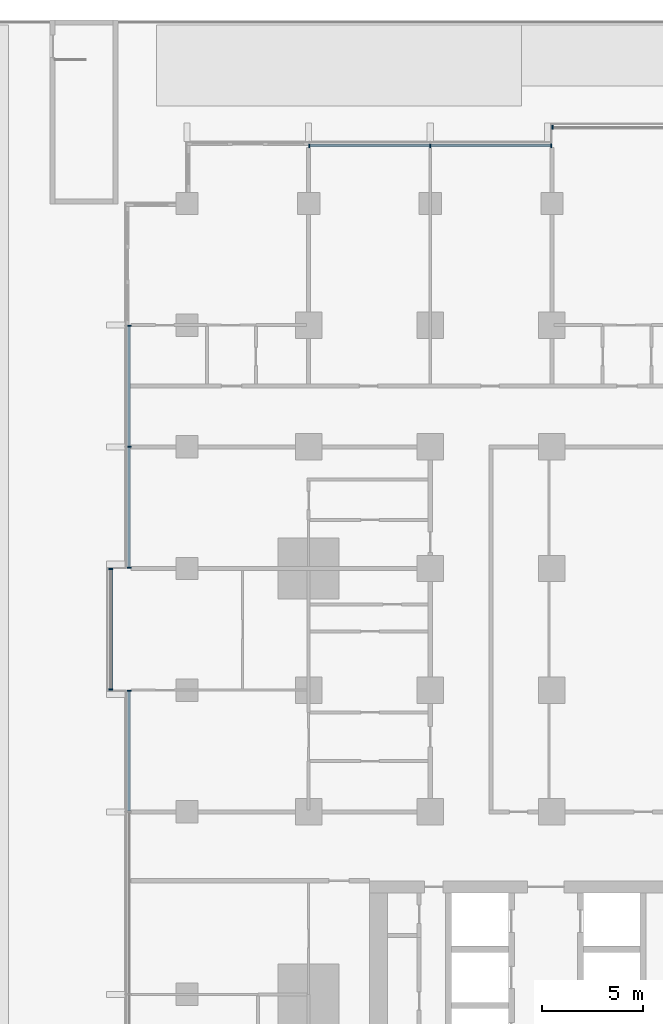
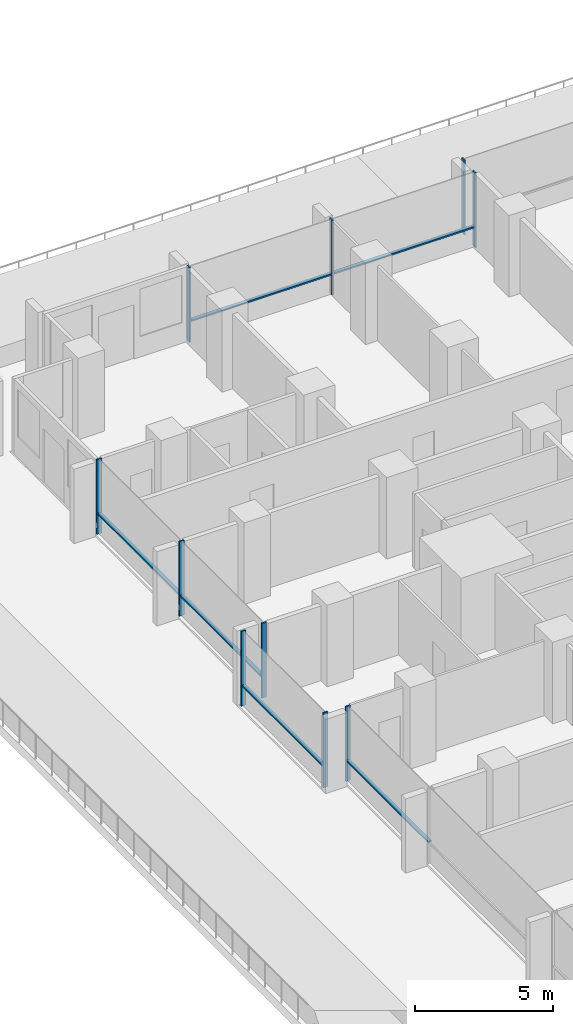
# One storey, part 4 of 25: 16 members, 5 elements without a shape of their own.
"""IFC4 building model written with IfcOpenShell, lengths in metres."""

from ifc_helpers import new_model, si_unit, direction, frame, origin, origin_2d, place, context, subcontext, project, spatial, rectangle, extrude, material, material_profile, profile_set, type_object, element, aggregate, save


model = new_model("IFC4")

# Units and contexts
model_context = context("Model", 3, precision=1e-05, world=origin(), true_north=direction((0.0, 1.0)))
body_context = subcontext(model_context, "Body", "Model", "MODEL_VIEW")
ifc_project = project(units=[si_unit("LENGTHUNIT", "METRE"), si_unit("AREAUNIT", "SQUARE_METRE"), si_unit("VOLUMEUNIT", "CUBIC_METRE"), si_unit("PLANEANGLEUNIT", "RADIAN"), si_unit("MASSUNIT", "GRAM", prefix="KILO")], contexts=[model_context])

# Site, building, storey
site_placement = place(None, origin())
site = spatial("IfcSite", under=ifc_project, at=site_placement, CompositionType="ELEMENT")
building_placement = place(site_placement, origin())
building = spatial("IfcBuilding", under=site, at=building_placement, Name="Finial Court Residences", CompositionType="ELEMENT")
storey_placement = place(building_placement, frame((0.0, 0.0, 32.5)))
storey = spatial("IfcBuildingStorey", under=building, at=storey_placement, Name="L06", CompositionType="ELEMENT", Elevation=32.5)

# Curtain wall, members
ifc_material = material(Name="Bronze anodised aluminium", Category="aluminium")
curtain_wall_type = type_object("IfcCurtainWallType", Name="Unitised curtain wall, lower and middle zones", PredefinedType="NOTDEFINED", material=ifc_material)
curtain_wall_1_placement = place(storey_placement, origin())
curtain_wall_1 = element("IfcCurtainWall", 1, at=curtain_wall_1_placement, inside=storey, type_object=curtain_wall_type, Name="E-L06-CW-N1", PredefinedType="NOTDEFINED")
ifc_material_profile_1 = material_profile(ifc_material, rectangle(XDim=0.199951171875, YDim=0.06494140625, at=origin_2d()), Name="CW1 mullion 65 x 200")
ifc_profile_set_1 = profile_set([ifc_material_profile_1], Name="Bronze anodised aluminium")
member_type_1 = type_object("IfcMemberType", Name="CW1 mullion 65 x 200", PredefinedType="MULLION", material=ifc_profile_set_1)
member_1_placement = place(storey_placement, frame((-16.467529296875, 28.35009765625, 0.0), z_axis=(0.0, 0.0, 1.0), x_axis=(0.0, 1.0, 0.0)))
member_1 = element("IfcMember", 2, at=member_1_placement, type_object=member_type_1, Name="CW1 mullion 1", PredefinedType="MULLION", context=body_context, shape_type="SweptSolid", body=[
    extrude(rectangle(XDim=0.199951171875, YDim=0.06494140625, at=origin_2d()), origin(), (0.0, 0.0, 1.0), 3.300048828125),
])
member_2_placement = place(storey_placement, frame((-10.5, 28.35009765625, 0.0), z_axis=(0.0, 0.0, 1.0), x_axis=(0.0, 1.0, 0.0)))
member_2 = element("IfcMember", 3, at=member_2_placement, type_object=member_type_1, Name="CW1 mullion 2", PredefinedType="MULLION", context=body_context, shape_type="SweptSolid", body=[
    extrude(rectangle(XDim=0.199951171875, YDim=0.06494140625, at=origin_2d()), origin(), (0.0, 0.0, 1.0), 3.300048828125),
])
member_3_placement = place(storey_placement, frame((-4.532470703125, 28.35009765625, 0.0), z_axis=(0.0, 0.0, 1.0), x_axis=(0.0, 1.0, 0.0)))
member_3 = element("IfcMember", 4, at=member_3_placement, type_object=member_type_1, Name="CW1 mullion 3", PredefinedType="MULLION", context=body_context, shape_type="SweptSolid", body=[
    extrude(rectangle(XDim=0.199951171875, YDim=0.06494140625, at=origin_2d()), origin(), (0.0, 0.0, 1.0), 3.300048828125),
])

# Curtain wall, member
curtain_wall_2_placement = place(storey_placement, origin())
curtain_wall_2 = element("IfcCurtainWall", 5, at=curtain_wall_2_placement, inside=storey, type_object=curtain_wall_type, Name="E-L06-CW-N2", PredefinedType="NOTDEFINED")
member_4_placement = place(storey_placement, frame((-4.467529296875, 29.25, 0.0), z_axis=(0.0, 0.0, 1.0), x_axis=(0.0, 1.0, 0.0)))
member_4 = element("IfcMember", 6, at=member_4_placement, type_object=member_type_1, Name="CW1 mullion 1", PredefinedType="MULLION", context=body_context, shape_type="SweptSolid", body=[
    extrude(rectangle(XDim=0.199951171875, YDim=0.06494140625, at=origin_2d()), origin(), (0.0, 0.0, 1.0), 3.300048828125),
])
aggregate(curtain_wall_2, [member_4])

curtain_wall_3_placement = place(storey_placement, origin())
curtain_wall_3 = element("IfcCurtainWall", 7, at=curtain_wall_3_placement, inside=storey, type_object=curtain_wall_type, Name="E-L06-CW-W9", PredefinedType="NOTDEFINED")
member_5_placement = place(storey_placement, frame((-25.35009765625, 1.467529296875, 0.0), z_axis=(0.0, 0.0, 1.0), x_axis=(-1.0, 0.0, 0.0)))
member_5 = element("IfcMember", 8, at=member_5_placement, type_object=member_type_1, Name="CW1 mullion 4", PredefinedType="MULLION", context=body_context, shape_type="SweptSolid", body=[
    extrude(rectangle(XDim=0.199951171875, YDim=0.06494140625, at=origin_2d()), origin(), (0.0, 0.0, 1.0), 3.300048828125),
])

# Curtain wall, members
curtain_wall_4_placement = place(storey_placement, origin())
curtain_wall_4 = element("IfcCurtainWall", 9, at=curtain_wall_4_placement, inside=storey, type_object=curtain_wall_type, Name="E-L06-CW-W10", PredefinedType="NOTDEFINED")
member_6_placement = place(storey_placement, frame((-26.25, 1.532470703125, 0.0), z_axis=(0.0, 0.0, 1.0), x_axis=(-1.0, 0.0, 0.0)))
member_6 = element("IfcMember", 10, at=member_6_placement, type_object=member_type_1, Name="CW1 mullion 1", PredefinedType="MULLION", context=body_context, shape_type="SweptSolid", body=[
    extrude(rectangle(XDim=0.199951171875, YDim=0.06494140625, at=origin_2d()), origin(), (0.0, 0.0, 1.0), 3.300048828125),
])
member_7_placement = place(storey_placement, frame((-26.25, 7.467529296875, 0.0), z_axis=(0.0, 0.0, 1.0), x_axis=(-1.0, 0.0, 0.0)))
member_7 = element("IfcMember", 11, at=member_7_placement, type_object=member_type_1, Name="CW1 mullion 2", PredefinedType="MULLION", context=body_context, shape_type="SweptSolid", body=[
    extrude(rectangle(XDim=0.199951171875, YDim=0.06494140625, at=origin_2d()), origin(), (0.0, 0.0, 1.0), 3.300048828125),
])

curtain_wall_5_placement = place(storey_placement, origin())
curtain_wall_5 = element("IfcCurtainWall", 12, at=curtain_wall_5_placement, inside=storey, type_object=curtain_wall_type, Name="E-L06-CW-W11", PredefinedType="NOTDEFINED")
member_8_placement = place(storey_placement, frame((-25.35009765625, 7.532470703125, 0.0), z_axis=(0.0, 0.0, 1.0), x_axis=(-1.0, 0.0, 0.0)))
member_8 = element("IfcMember", 13, at=member_8_placement, type_object=member_type_1, Name="CW1 mullion 1", PredefinedType="MULLION", context=body_context, shape_type="SweptSolid", body=[
    extrude(rectangle(XDim=0.199951171875, YDim=0.06494140625, at=origin_2d()), origin(), (0.0, 0.0, 1.0), 3.300048828125),
])
member_9_placement = place(storey_placement, frame((-25.35009765625, 13.5, 0.0), z_axis=(0.0, 0.0, 1.0), x_axis=(-1.0, 0.0, 0.0)))
member_9 = element("IfcMember", 14, at=member_9_placement, type_object=member_type_1, Name="CW1 mullion 2", PredefinedType="MULLION", context=body_context, shape_type="SweptSolid", body=[
    extrude(rectangle(XDim=0.199951171875, YDim=0.06494140625, at=origin_2d()), origin(), (0.0, 0.0, 1.0), 3.300048828125),
])
member_10_placement = place(storey_placement, frame((-25.35009765625, 19.467529296875, 0.0), z_axis=(0.0, 0.0, 1.0), x_axis=(-1.0, 0.0, 0.0)))
member_10 = element("IfcMember", 15, at=member_10_placement, type_object=member_type_1, Name="CW1 mullion 3", PredefinedType="MULLION", context=body_context, shape_type="SweptSolid", body=[
    extrude(rectangle(XDim=0.199951171875, YDim=0.06494140625, at=origin_2d()), origin(), (0.0, 0.0, 1.0), 3.300048828125),
])

# Member
ifc_material_profile_2 = material_profile(ifc_material, rectangle(XDim=0.14990234375, YDim=0.06494140625, at=origin_2d()), Name="CW1 transom 65 x 150")
ifc_profile_set_2 = profile_set([ifc_material_profile_2], Name="Bronze anodised aluminium")
member_type_2 = type_object("IfcMemberType", Name="CW1 transom 65 x 150", PredefinedType="USERDEFINED", material=ifc_profile_set_2)
member_11_placement = place(storey_placement, frame((-16.43505859375, 28.35009765625, 0.89990234375), z_axis=(1.0, 0.0, 0.0), x_axis=(0.0, 1.0, 0.0)))
member_11 = element("IfcMember", 16, at=member_11_placement, type_object=member_type_2, Name="CW1 transom 1.1", ObjectType="TRANSOM", PredefinedType="USERDEFINED", context=body_context, shape_type="SweptSolid", body=[
    extrude(rectangle(XDim=0.14990234375, YDim=0.06494140625, at=origin_2d()), origin(), (0.0, 0.0, 1.0), 5.902587890625),
])

member_12_placement = place(storey_placement, frame((-10.467529296875, 28.35009765625, 0.89990234375), z_axis=(1.0, 0.0, 0.0), x_axis=(0.0, 1.0, 0.0)))
member_12 = element("IfcMember", 17, at=member_12_placement, type_object=member_type_2, Name="CW1 transom 2.1", ObjectType="TRANSOM", PredefinedType="USERDEFINED", context=body_context, shape_type="SweptSolid", body=[
    extrude(rectangle(XDim=0.14990234375, YDim=0.06494140625, at=origin_2d()), origin(), (0.0, 0.0, 1.0), 5.902587890625),
])

aggregate(curtain_wall_1, [member_1, member_2, member_3, member_11, member_12])

member_13_placement = place(storey_placement, frame((-25.35009765625, -4.467529296875, 0.89990234375), z_axis=(0.0, 1.0, 0.0), x_axis=(-1.0, 0.0, 0.0)))
member_13 = element("IfcMember", 18, at=member_13_placement, type_object=member_type_2, Name="CW1 transom 3.1", ObjectType="TRANSOM", PredefinedType="USERDEFINED", context=body_context, shape_type="SweptSolid", body=[
    extrude(rectangle(XDim=0.14990234375, YDim=0.06494140625, at=origin_2d()), origin(), (0.0, 0.0, 1.0), 5.902587890625),
])

aggregate(curtain_wall_3, [member_5, member_13])

member_14_placement = place(storey_placement, frame((-26.25, 1.56494140625, 0.89990234375), z_axis=(0.0, 1.0, 0.0), x_axis=(-1.0, 0.0, 0.0)))
member_14 = element("IfcMember", 19, at=member_14_placement, type_object=member_type_2, Name="CW1 transom 1.1", ObjectType="TRANSOM", PredefinedType="USERDEFINED", context=body_context, shape_type="SweptSolid", body=[
    extrude(rectangle(XDim=0.14990234375, YDim=0.06494140625, at=origin_2d()), origin(), (0.0, 0.0, 1.0), 5.8701171875),
])

aggregate(curtain_wall_4, [member_6, member_7, member_14])

member_15_placement = place(storey_placement, frame((-25.35009765625, 7.56494140625, 0.89990234375), z_axis=(0.0, 1.0, 0.0), x_axis=(-1.0, 0.0, 0.0)))
member_15 = element("IfcMember", 20, at=member_15_placement, type_object=member_type_2, Name="CW1 transom 1.1", ObjectType="TRANSOM", PredefinedType="USERDEFINED", context=body_context, shape_type="SweptSolid", body=[
    extrude(rectangle(XDim=0.14990234375, YDim=0.06494140625, at=origin_2d()), origin(), (0.0, 0.0, 1.0), 5.902587890625),
])

member_16_placement = place(storey_placement, frame((-25.35009765625, 13.532470703125, 0.89990234375), z_axis=(0.0, 1.0, 0.0), x_axis=(-1.0, 0.0, 0.0)))
member_16 = element("IfcMember", 21, at=member_16_placement, type_object=member_type_2, Name="CW1 transom 2.1", ObjectType="TRANSOM", PredefinedType="USERDEFINED", context=body_context, shape_type="SweptSolid", body=[
    extrude(rectangle(XDim=0.14990234375, YDim=0.06494140625, at=origin_2d()), origin(), (0.0, 0.0, 1.0), 5.902587890625),
])

aggregate(curtain_wall_5, [member_8, member_9, member_10, member_15, member_16])

save(model, "model.ifc")
